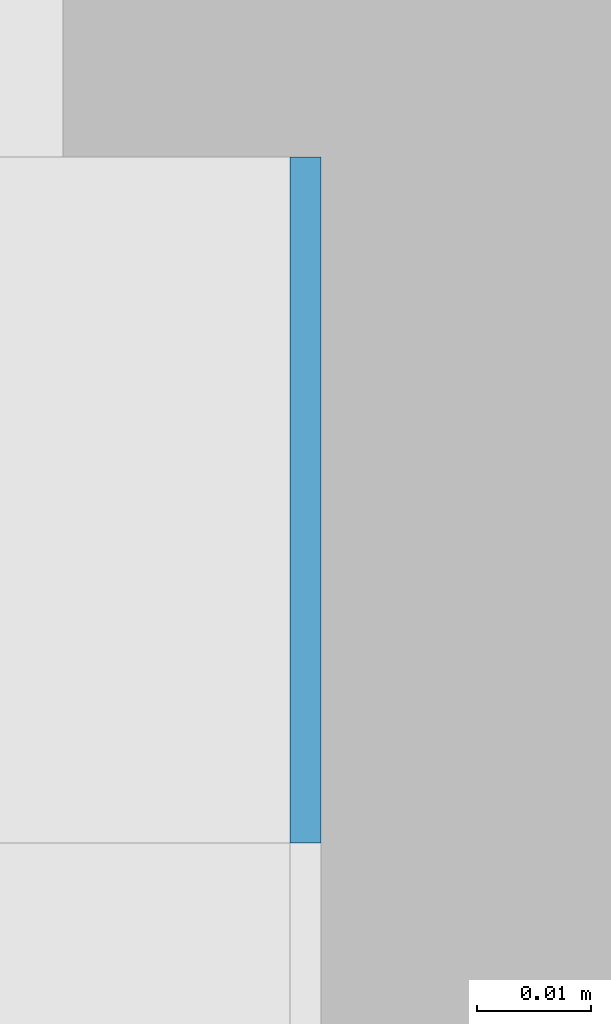
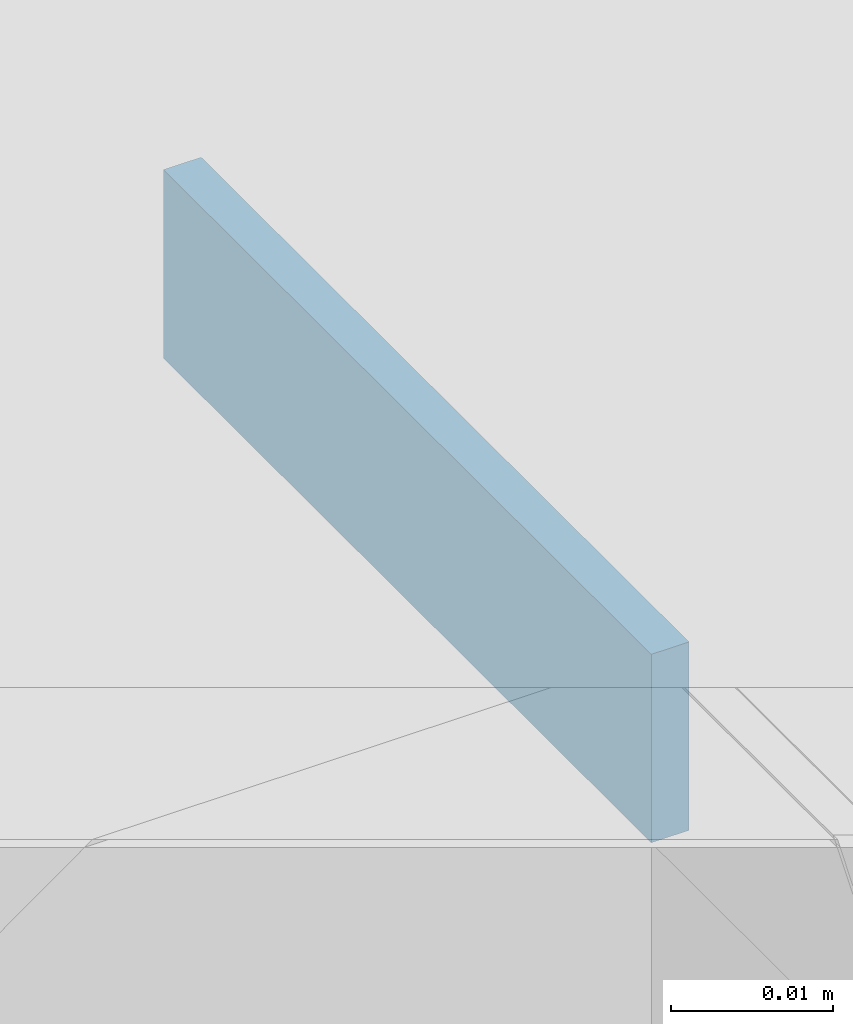
# One storey, part 397 of 646: 1 discrete accessory.
"""IFC4 building model written with IfcOpenShell, lengths in metres."""

from ifc_helpers import new_model, si_unit, direction, frame, origin, origin_2d, place, context, subcontext, project, spatial, rectangle, extrude, material, type_object, element, save


model = new_model("IFC4")

# Units and contexts
model_context = context("Model", 3, precision=1e-05, world=origin(), true_north=direction((0.0, 1.0)))
body_context = subcontext(model_context, "Body", "Model", "MODEL_VIEW")
ifc_project = project(units=[si_unit("LENGTHUNIT", "METRE"), si_unit("AREAUNIT", "SQUARE_METRE"), si_unit("VOLUMEUNIT", "CUBIC_METRE"), si_unit("PLANEANGLEUNIT", "RADIAN"), si_unit("MASSUNIT", "GRAM", prefix="KILO")], contexts=[model_context])

# Site, building, storey
site_placement = place(None, origin())
site = spatial("IfcSite", under=ifc_project, at=site_placement, CompositionType="ELEMENT")
building_placement = place(site_placement, origin())
building = spatial("IfcBuilding", under=site, at=building_placement, Name="Silverbay Arena", CompositionType="ELEMENT")
storey_placement = place(building_placement, frame((0.0, 0.0, 33.5)))
storey = spatial("IfcBuildingStorey", under=building, at=storey_placement, Name="L05", CompositionType="ELEMENT", Elevation=33.5)

# Discrete accessory
ifc_material = material(Name="Steel S355", Category="steel")
discrete_accessory_type = type_object("IfcDiscreteAccessoryType", Name="Steel bracket plate", PredefinedType="BRACKET", material=ifc_material)
discrete_accessory_placement = place(storey_placement, frame((53.871337890625, 117.030029296875, 12.98583984375), z_axis=(0.0, 0.0, 1.0), x_axis=(1.0, 0.0, 0.0)))
element("IfcDiscreteAccessory", 1, at=discrete_accessory_placement, inside=storey, type_object=discrete_accessory_type, Name="Curtain wall packing plate", PredefinedType="BRACKET", context=body_context, shape_type="SweptSolid", body=[
    extrude(rectangle(XDim=0.002685546875, YDim=0.06005859375, at=origin_2d()), origin(), (0.0, 0.0, 1.0), 0.01416015625),
])

save(model, "model.ifc")
